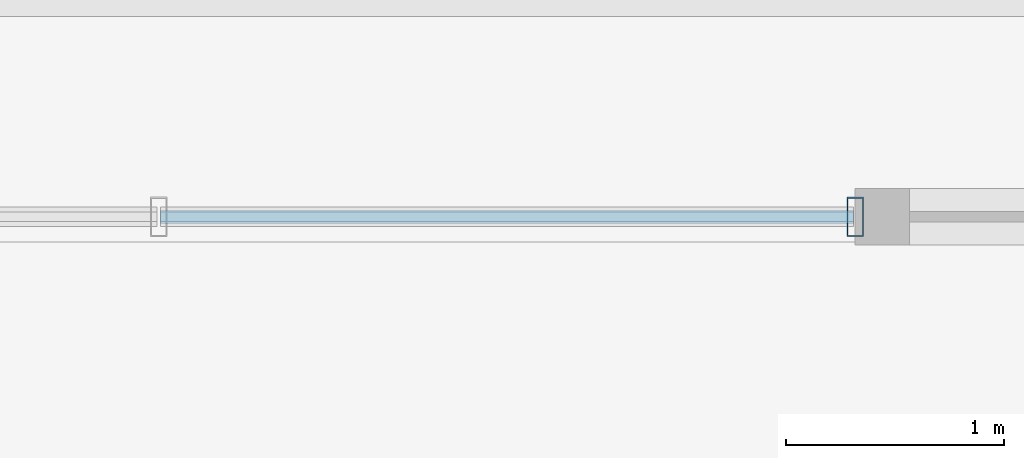
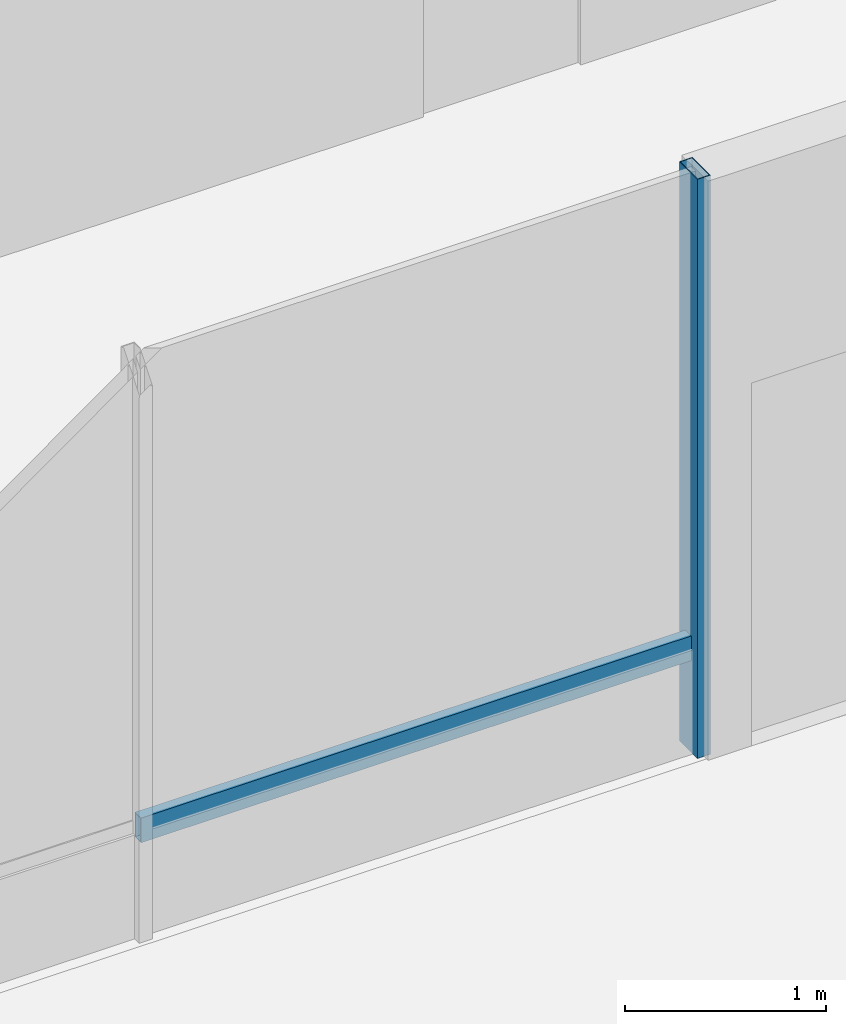
# One storey, part 4 of 20: 2 members, 1 element without a shape of its own.
"""IFC4 building model written with IfcOpenShell, lengths in metres."""

from ifc_helpers import new_model, si_unit, direction, frame, origin, origin_2d, place, context, subcontext, project, spatial, hollow_rectangle, extrude, material, layer, layer_set, material_profile, profile_set, type_object, element, aggregate, save


model = new_model("IFC4")

# Units and contexts
model_context = context("Model", 3, precision=1e-05, world=origin(), true_north=direction((0.0, 1.0)))
body_context = subcontext(model_context, "Body", "Model", "MODEL_VIEW")
ifc_project = project(units=[si_unit("LENGTHUNIT", "METRE"), si_unit("AREAUNIT", "SQUARE_METRE"), si_unit("VOLUMEUNIT", "CUBIC_METRE"), si_unit("PLANEANGLEUNIT", "RADIAN"), si_unit("MASSUNIT", "GRAM", prefix="KILO")], contexts=[model_context])

# Site, building, storey
site_placement = place(None, origin())
site = spatial("IfcSite", under=ifc_project, at=site_placement, CompositionType="ELEMENT")
building_placement = place(site_placement, origin())
building = spatial("IfcBuilding", under=site, at=building_placement, Name="Belovzor Exchange Tower", CompositionType="ELEMENT")
storey_placement = place(building_placement, frame((0.0, 0.0, 321.75)))
storey = spatial("IfcBuildingStorey", under=building, at=storey_placement, Name="L80", CompositionType="ELEMENT", Elevation=321.75)

# Curtain wall, members
ifc_material_1 = material(Name="Anodised Aluminium Framing", Category="aluminium")
ifc_layer = layer(ifc_material_1, 0.179931640625)
ifc_layer_set = layer_set([ifc_layer], Name="Anodised Aluminium Framing")
curtain_wall_type = type_object("IfcCurtainWallType", Name="Recessed Loggia Low-Iron Triple-Glazed Curtain Wall", PredefinedType="NOTDEFINED", material=ifc_layer_set)
curtain_wall_placement = place(storey_placement, origin())
curtain_wall = element("IfcCurtainWall", 1, at=curtain_wall_placement, inside=storey, type_object=curtain_wall_type, Name="CW3 Recessed Loggia Low-Iron Triple-Glazed Curtain Wall L80", PredefinedType="NOTDEFINED")
ifc_material_2 = material(Name="Steel S355", Category="steel")
ifc_material_profile_1 = material_profile(ifc_material_2, hollow_rectangle(XDim=0.074951171875, YDim=0.179931640625, WallThickness=0.0048828125, at=origin_2d()))
ifc_profile_set_1 = profile_set([ifc_material_profile_1], Name="Steel S355")
member_type_1 = type_object("IfcMemberType", Name="Thermally Broken Curtain Wall Mullion 180x75", PredefinedType="MULLION", material=ifc_profile_set_1)
member_1_placement = place(storey_placement, frame((33.60009765625, 6.1298828125, 0.0), z_axis=(0.0, 0.0, 1.0), x_axis=(-1.0, 0.0, 0.0)))
member_1 = element("IfcMember", 2, at=member_1_placement, type_object=member_type_1, Name="CW-M180 Curtain Wall Mullion 1", PredefinedType="MULLION", context=body_context, shape_type="SweptSolid", body=[
    extrude(hollow_rectangle(XDim=0.074951171875, YDim=0.179931640625, WallThickness=0.0048828125, at=origin_2d()), origin(), (0.0, 0.0, 1.0), 3.510009765625),
])
ifc_material_3 = material(Name="Steel S355", Category="steel")
ifc_material_profile_2 = material_profile(ifc_material_3, hollow_rectangle(XDim=0.06005859375, YDim=0.14990234375, WallThickness=0.00390625, at=origin_2d()))
ifc_profile_set_2 = profile_set([ifc_material_profile_2], Name="Steel S355")
member_type_2 = type_object("IfcMemberType", Name="Thermally Broken Curtain Wall Transom 150x60", PredefinedType="USERDEFINED", material=ifc_profile_set_2)
member_2_placement = place(storey_placement, frame((33.592041015625, 6.1298828125, 0.632080078125), z_axis=(-1.0, 0.0, 0.0), x_axis=(0.0, -1.0, 0.0)))
member_2 = element("IfcMember", 3, at=member_2_placement, type_object=member_type_2, Name="CW-T150 Curtain Wall Transom 1", ObjectType="TRANSOM", PredefinedType="USERDEFINED", context=body_context, shape_type="SweptSolid", body=[
    extrude(hollow_rectangle(XDim=0.06005859375, YDim=0.14990234375, WallThickness=0.00390625, at=origin_2d()), origin(), (0.0, 0.0, 1.0), 3.18408203125),
])
aggregate(curtain_wall, [member_1, member_2])

save(model, "model.ifc")
